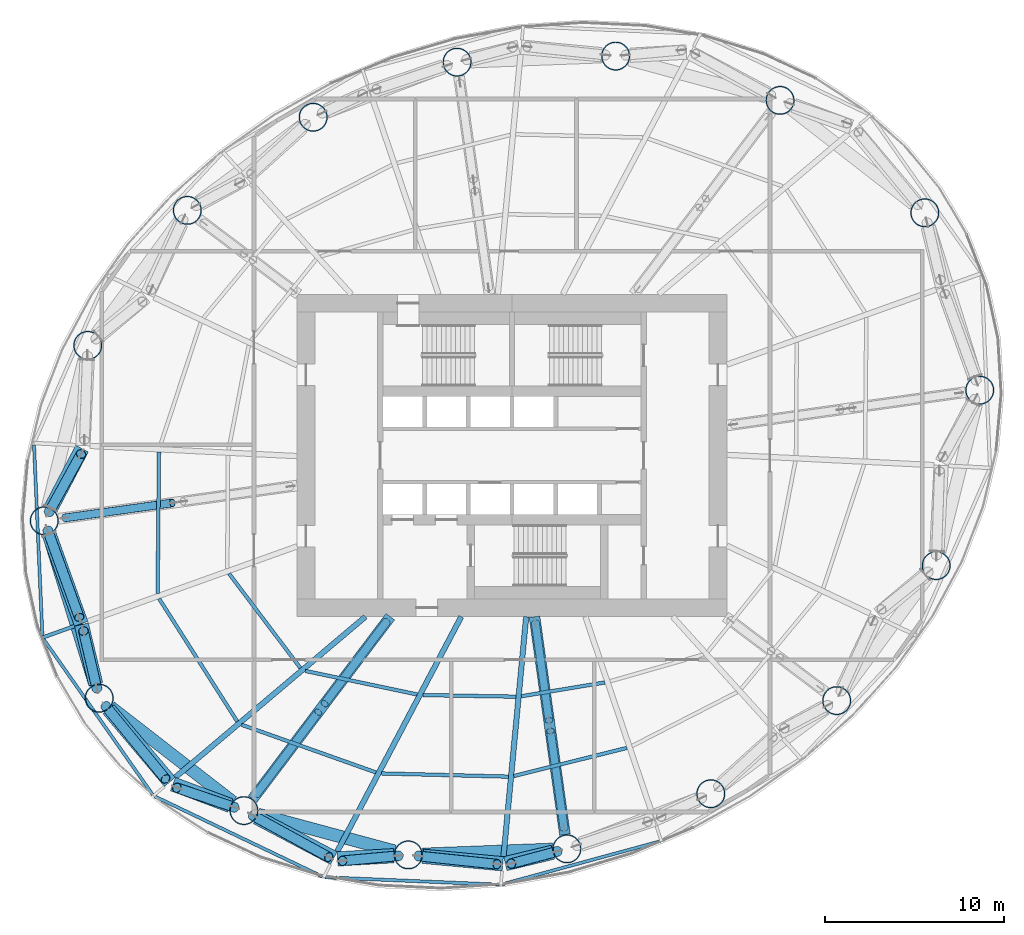
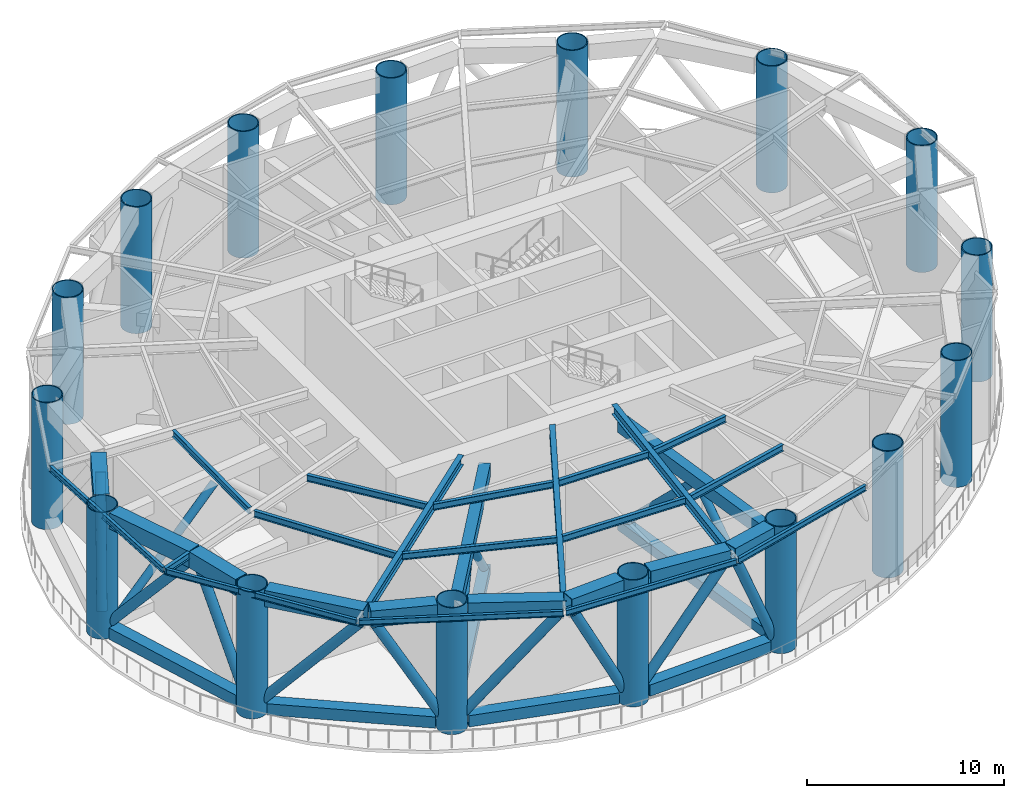
# One storey, part 1 of 15: 31 members, 18 beams, 16 columns.
"""IFC4 building model written with IfcOpenShell, lengths in metres."""

from ifc_helpers import new_model, si_unit, direction, frame, origin, origin_2d, place, context, subcontext, project, spatial, hollow_rectangle, hollow_circle, i_section, extrude, material, material_profile, profile_set, type_object, element, save


model = new_model("IFC4")

# Units and contexts
model_context = context("Model", 3, precision=1e-05, world=origin(), true_north=direction((0.0, 1.0)))
body_context = subcontext(model_context, "Body", "Model", "MODEL_VIEW")
ifc_project = project(units=[si_unit("LENGTHUNIT", "METRE"), si_unit("AREAUNIT", "SQUARE_METRE"), si_unit("VOLUMEUNIT", "CUBIC_METRE"), si_unit("PLANEANGLEUNIT", "RADIAN"), si_unit("MASSUNIT", "GRAM", prefix="KILO")], contexts=[model_context])

# Site, building, storey
site_placement = place(None, origin())
site = spatial("IfcSite", under=ifc_project, at=site_placement, CompositionType="ELEMENT")
building_placement = place(site_placement, origin())
building = spatial("IfcBuilding", under=site, at=building_placement, Name="Vermilion Reach Broadcast Tower", CompositionType="ELEMENT")
storey_placement = place(building_placement, frame((0.0, 0.0, 135.39990234375)))
storey = spatial("IfcBuildingStorey", under=building, at=storey_placement, Name="L32", CompositionType="ELEMENT", Elevation=135.39990234375)

# Columns
ifc_material_1 = material(Name="Concrete C80 infill in steel S460NL tube", Category="concrete")
ifc_material_profile_1 = material_profile(ifc_material_1, hollow_circle(Radius=0.800048828125, WallThickness=0.054931640625, at=origin_2d()), Name="Concrete C80 infill in steel S460NL tube CFT 1600x55")
ifc_profile_set_1 = profile_set([ifc_material_profile_1], Name="Concrete C80 infill in steel S460NL tube")
column_type = type_object("IfcColumnType", Name="MC2 CFT 1600x55", PredefinedType="COLUMN", material=ifc_profile_set_1)
for number, where, z_axis, x_axis, name in (
    (1, (17.04345703125, 13.546630859375, 0.0), (0.0, 0.0, 1.0), (1.0, 0.0, 0.0), "Mega-column MC2-01"),
    (2, (8.96337890625, 19.821044921875, 0.0), (0.0, 0.0, 1.0), (1.0, 0.0, 0.0), "Mega-column MC2-02"),
    (3, (-0.21337890625, 22.29443359375, 0.0), (0.0, 0.0, 1.0), (1.0, 0.0, 0.0), "Mega-column MC2-03"),
    (4, (-9.066162109375, 21.955810546875, 0.0), (0.0, 0.0, 1.0), (1.0, 0.0, 0.0), "Mega-column MC2-04"),
    (5, (-17.099609375, 18.881103515625, 0.0), (0.0, 0.0, 1.0), (1.0, 0.0, 0.0), "Mega-column MC2-05"),
    (6, (-24.12451171875, 13.6826171875, 0.0), (0.0, 0.0, 1.0), (1.0, 0.0, 0.0), "Mega-column MC2-06"),
    (7, (-29.6787109375, 6.145751953125, 0.0), (0.0, 0.0, 1.0), (1.0, 0.0, 0.0), "Mega-column MC2-07"),
    (8, (-32.10888671875, -3.646240234375, 0.0), (0.0, 0.0, 1.0), (1.0, 0.0, 0.0), "Mega-column MC2-08"),
    (9, (-29.04345703125, -13.546630859375, 0.0), (0.0, 0.0, 1.0), (1.0, 0.0, 0.0), "Mega-column MC2-09"),
    (10, (-20.96337890625, -19.821044921875, 0.0), (0.0, 0.0, 1.0), (1.0, 0.0, 0.0), "Mega-column MC2-10"),
    (11, (-11.78662109375, -22.29443359375, 0.0), (0.0, 0.0, 1.0), (1.0, 0.0, 0.0), "Mega-column MC2-11"),
    (12, (-2.933837890625, -21.955810546875, 0.0), (0.0, 0.0, 1.0), (1.0, 0.0, 0.0), "Mega-column MC2-12"),
    (13, (5.099609375, -18.881103515625, 0.0), (0.0, 0.0, 1.0), (1.0, 0.0, 0.0), "Mega-column MC2-13"),
    (14, (12.12451171875, -13.6826171875, 0.0), (0.0, 0.0, 1.0), (1.0, 0.0, 0.0), "Mega-column MC2-14"),
    (15, (17.6787109375, -6.145751953125, 0.0), (0.0, 0.0, 1.0), (1.0, 0.0, 0.0), "Mega-column MC2-15"),
    (16, (20.10888671875, 3.646240234375, 0.0), (0.0, 0.0, 1.0), (1.0, 0.0, 0.0), "Mega-column MC2-16"),
):
    element("IfcColumn", number, at=place(storey_placement, frame(where, z_axis=z_axis, x_axis=x_axis)), inside=storey, type_object=column_type, Name=name, PredefinedType="COLUMN", context=body_context, shape_type="SweptSolid", body=[
        extrude(hollow_circle(Radius=0.800048828125, WallThickness=0.054931640625, at=origin_2d()), origin(), (0.0, 0.0, 1.0), 7.85009765625),
    ])

# Members
ifc_material_2 = material(Name="Steel S460NL", Category="steel")
ifc_material_profile_2 = material_profile(ifc_material_2, hollow_rectangle(XDim=0.699951171875, YDim=0.699951171875, WallThickness=0.034912109375, at=origin_2d()), Name="S460NL BOX 700x700x35")
ifc_profile_set_2 = profile_set([ifc_material_profile_2], Name="Steel S460NL")
member_type_1 = type_object("IfcMemberType", Name="BT2-BC BOX 700x700x35", PredefinedType="CHORD", material=ifc_profile_set_2)
member_1_placement = place(storey_placement, frame((-31.872314453125, -4.410400390625, 0.35009765625), z_axis=(0.295788439635, -0.95525347368, 0.0), x_axis=(0.95525347368, 0.295788439635, 0.0)))
element("IfcMember", 17, at=member_1_placement, inside=storey, type_object=member_type_1, Name="Belt truss bottom chord BT2-BC08", PredefinedType="CHORD", context=body_context, shape_type="SweptSolid", body=[
    extrude(hollow_rectangle(XDim=0.699951171875, YDim=0.699951171875, WallThickness=0.034912109375, at=origin_2d()), origin(), (0.0, 0.0, 1.0), 8.763916015625),
])
member_2_placement = place(storey_placement, frame((-28.41162109375, -14.037109375, 0.35009765625), z_axis=(0.789825712432, -0.613331349257, 0.0), x_axis=(0.613331349257, 0.789825712432, 0.0)))
element("IfcMember", 18, at=member_2_placement, inside=storey, type_object=member_type_1, Name="Belt truss bottom chord BT2-BC09", PredefinedType="CHORD", context=body_context, shape_type="SweptSolid", body=[
    extrude(hollow_rectangle(XDim=0.699951171875, YDim=0.699951171875, WallThickness=0.034912109375, at=origin_2d()), origin(), (0.0, 0.0, 1.0), 8.63037109375),
])
member_3_placement = place(storey_placement, frame((-20.19091796875, -20.029296875, 0.35009765625), z_axis=(0.965541463834, -0.260249268234, 0.0), x_axis=(0.260249268234, 0.965541463834, 0.0)))
element("IfcMember", 19, at=member_3_placement, inside=storey, type_object=member_type_1, Name="Belt truss bottom chord BT2-BC10", PredefinedType="CHORD", context=body_context, shape_type="SweptSolid", body=[
    extrude(hollow_rectangle(XDim=0.699951171875, YDim=0.699951171875, WallThickness=0.034912109375, at=origin_2d()), origin(), (0.0, 0.0, 1.0), 7.904541015625),
])
member_4_placement = place(storey_placement, frame((-10.987060546875, -22.263916015625, 0.35009765625), z_axis=(0.999268558327, 0.038240663418, 0.0), x_axis=(-0.038240663418, 0.999268558327, 0.0)))
element("IfcMember", 20, at=member_4_placement, inside=storey, type_object=member_type_1, Name="Belt truss bottom chord BT2-BC11", PredefinedType="CHORD", context=body_context, shape_type="SweptSolid", body=[
    extrude(hollow_rectangle(XDim=0.699951171875, YDim=0.699951171875, WallThickness=0.034912109375, at=origin_2d()), origin(), (0.0, 0.0, 1.0), 7.259033203125),
])
ifc_material_3 = material(Name="Steel S355J2H", Category="steel")
ifc_material_profile_3 = material_profile(ifc_material_3, hollow_circle(Radius=0.279541015625, WallThickness=0.02490234375, at=origin_2d()), Name="S355J2H CHS 559x25")
ifc_profile_set_3 = profile_set([ifc_material_profile_3], Name="Steel S355J2H")
member_type_2 = type_object("IfcMemberType", Name="BT2-D CHS 559x25", PredefinedType="BRACE", material=ifc_profile_set_3)
member_5_placement = place(storey_placement, frame((-31.84326171875, -3.16455078125, 0.800048828125), z_axis=(0.252322720292, 0.457462022461, 0.852679155856), x_axis=(-0.875634448009, 0.482974443899, 0.0)))
element("IfcMember", 21, at=member_5_placement, inside=storey, type_object=member_type_2, Name="Belt truss diagonal BT2-D07B", PredefinedType="BRACE", context=body_context, shape_type="SweptSolid", body=[
    extrude(hollow_circle(Radius=0.279541015625, WallThickness=0.02490234375, at=origin_2d()), origin(), (0.0, 0.0, 1.0), 7.08349609375),
])
member_6_placement = place(storey_placement, frame((-31.921630859375, -4.163330078125, 0.800048828125), z_axis=(0.221551776768, -0.612159126171, 0.759062589288), x_axis=(0.940311100028, 0.34031608126, 0.0)))
element("IfcMember", 22, at=member_6_placement, inside=storey, type_object=member_type_2, Name="Belt truss diagonal BT2-D08A", PredefinedType="BRACE", context=body_context, shape_type="SweptSolid", body=[
    extrude(hollow_circle(Radius=0.279541015625, WallThickness=0.02490234375, at=origin_2d()), origin(), (0.0, 0.0, 1.0), 7.957275390625),
])
member_7_placement = place(storey_placement, frame((-29.1689453125, -13.010986328125, 0.800048828125), z_axis=(-0.10943309979, 0.466749020107, 0.877593156821), x_axis=(-0.973598327327, -0.228268037681, 0.0)))
element("IfcMember", 23, at=member_7_placement, inside=storey, type_object=member_type_2, Name="Belt truss diagonal BT2-D08B", PredefinedType="BRACE", context=body_context, shape_type="SweptSolid", body=[
    extrude(hollow_circle(Radius=0.279541015625, WallThickness=0.02490234375, at=origin_2d()), origin(), (0.0, 0.0, 1.0), 6.882568359375),
])
member_8_placement = place(storey_placement, frame((-28.694580078125, -13.9716796875, 0.800048828125), z_axis=(0.41774205615, -0.509059441467, 0.752562329363), x_axis=(0.773034454647, 0.634364037386, 0.0)))
element("IfcMember", 24, at=member_8_placement, inside=storey, type_object=member_type_2, Name="Belt truss diagonal BT2-D09A", PredefinedType="BRACE", context=body_context, shape_type="SweptSolid", body=[
    extrude(hollow_circle(Radius=0.279541015625, WallThickness=0.02490234375, at=origin_2d()), origin(), (0.0, 0.0, 1.0), 8.02587890625),
])
member_9_placement = place(storey_placement, frame((-21.484130859375, -19.64404296875, 0.800048828125), z_axis=(-0.465176672429, 0.158039664159, 0.870996055089), x_axis=(-0.321683041719, -0.946847411503, 0.0)))
element("IfcMember", 25, at=member_9_placement, inside=storey, type_object=member_type_2, Name="Belt truss diagonal BT2-D09B", PredefinedType="BRACE", context=body_context, shape_type="SweptSolid", body=[
    extrude(hollow_circle(Radius=0.279541015625, WallThickness=0.02490234375, at=origin_2d()), origin(), (0.0, 0.0, 1.0), 6.9345703125),
])
member_10_placement = place(storey_placement, frame((-20.4814453125, -20.0859375, 0.800048828125), z_axis=(0.5487089713, -0.301336038926, 0.779817322493), x_axis=(0.481361981443, 0.876521900937, 0.0)))
element("IfcMember", 26, at=member_10_placement, inside=storey, type_object=member_type_2, Name="Belt truss diagonal BT2-D10A", PredefinedType="BRACE", context=body_context, shape_type="SweptSolid", body=[
    extrude(hollow_circle(Radius=0.279541015625, WallThickness=0.02490234375, at=origin_2d()), origin(), (0.0, 0.0, 1.0), 7.745361328125),
])
member_11_placement = place(storey_placement, frame((-12.334228515625, -22.34423828125, 0.800048828125), z_axis=(-0.459092274445, -0.041716096193, 0.8874086155), x_axis=(0.090493651738, -0.995897032326, 0.0)))
element("IfcMember", 27, at=member_11_placement, inside=storey, type_object=member_type_2, Name="Belt truss diagonal BT2-D10B", PredefinedType="BRACE", context=body_context, shape_type="SweptSolid", body=[
    extrude(hollow_circle(Radius=0.279541015625, WallThickness=0.02490234375, at=origin_2d()), origin(), (0.0, 0.0, 1.0), 6.806396484375),
])
member_12_placement = place(storey_placement, frame((-11.239501953125, -22.35205078125, 0.800048828125), z_axis=(0.587498646373, -0.061867710235, 0.806856695418), x_axis=(0.104727891343, 0.994500914416, 0.0)))
element("IfcMember", 28, at=member_12_placement, inside=storey, type_object=member_type_2, Name="Belt truss diagonal BT2-D11A", PredefinedType="BRACE", context=body_context, shape_type="SweptSolid", body=[
    extrude(hollow_circle(Radius=0.279541015625, WallThickness=0.02490234375, at=origin_2d()), origin(), (0.0, 0.0, 1.0), 7.48583984375),
])
member_13_placement = place(storey_placement, frame((-3.46533203125, -22.097412109375, 0.800048828125), z_axis=(-0.390252706397, -0.104089574428, 0.914804998699), x_axis=(0.257713933528, -0.966221262685, 0.0)))
element("IfcMember", 29, at=member_13_placement, inside=storey, type_object=member_type_2, Name="Belt truss diagonal BT2-D11B", PredefinedType="BRACE", context=body_context, shape_type="SweptSolid", body=[
    extrude(hollow_circle(Radius=0.279541015625, WallThickness=0.02490234375, at=origin_2d()), origin(), (0.0, 0.0, 1.0), 6.6025390625),
])
ifc_material_4 = material(Name="Steel S460NL", Category="steel")
ifc_material_profile_4 = material_profile(ifc_material_4, hollow_rectangle(XDim=0.800048828125, YDim=1.0, WallThickness=0.0400390625, at=origin_2d()), Name="S460NL BOX 800x1000x40")
ifc_profile_set_4 = profile_set([ifc_material_profile_4], Name="Steel S460NL")
member_type_3 = type_object("IfcMemberType", Name="BT2-TC BOX 800x1000x40", PredefinedType="CHORD", material=ifc_profile_set_4)
member_14_placement = place(storey_placement, frame((-30.00244140625, 0.3818359375, 7.35009765625), z_axis=(-0.463401202932, -0.886148590882, 0.0), x_axis=(0.886148590882, -0.463401202932, 0.0)))
element("IfcMember", 30, at=member_14_placement, inside=storey, type_object=member_type_3, Name="Belt truss top chord BT2-TC14", PredefinedType="CHORD", context=body_context, shape_type="SweptSolid", body=[
    extrude(hollow_rectangle(XDim=0.800048828125, YDim=1.0, WallThickness=0.0400390625, at=origin_2d()), origin(), (0.0, 0.0, 1.0), 3.7353515625),
])
member_15_placement = place(storey_placement, frame((-31.83544921875, -4.40869140625, 7.35009765625), z_axis=(0.337428908349, -0.941351014134, 0.0), x_axis=(0.941351014134, 0.337428908349, 0.0)))
element("IfcMember", 31, at=member_15_placement, inside=storey, type_object=member_type_3, Name="Belt truss top chord BT2-TC15", PredefinedType="CHORD", context=body_context, shape_type="SweptSolid", body=[
    extrude(hollow_rectangle(XDim=0.800048828125, YDim=1.0, WallThickness=0.0400390625, at=origin_2d()), origin(), (0.0, 0.0, 1.0), 5.29345703125),
])
member_16_placement = place(storey_placement, frame((-30.0341796875, -9.442138671875, 7.35009765625), z_axis=(0.234666176524, -0.972076018424, 0.0), x_axis=(0.972076018424, 0.234666176524, 0.0)))
element("IfcMember", 32, at=member_16_placement, inside=storey, type_object=member_type_3, Name="Belt truss top chord BT2-TC16", PredefinedType="CHORD", context=body_context, shape_type="SweptSolid", body=[
    extrude(hollow_rectangle(XDim=0.800048828125, YDim=1.0, WallThickness=0.0400390625, at=origin_2d()), origin(), (0.0, 0.0, 1.0), 3.412353515625),
])
member_17_placement = place(storey_placement, frame((-28.520751953125, -14.165283203125, 7.35009765625), z_axis=(0.645284064865, -0.763942717506, 0.0), x_axis=(0.763942717506, 0.645284064865, 0.0)))
element("IfcMember", 33, at=member_17_placement, inside=storey, type_object=member_type_3, Name="Belt truss top chord BT2-TC17", PredefinedType="CHORD", context=body_context, shape_type="SweptSolid", body=[
    extrude(hollow_rectangle(XDim=0.800048828125, YDim=1.0, WallThickness=0.0400390625, at=origin_2d()), origin(), (0.0, 0.0, 1.0), 5.306396484375),
])
member_18_placement = place(storey_placement, frame((-24.923095703125, -18.341064453125, 7.35009765625), z_axis=(0.936695670356, -0.350144571765, 0.0), x_axis=(0.350144571765, 0.936695670356, 0.0)))
element("IfcMember", 34, at=member_18_placement, inside=storey, type_object=member_type_3, Name="Belt truss top chord BT2-TC18", PredefinedType="CHORD", context=body_context, shape_type="SweptSolid", body=[
    extrude(hollow_rectangle(XDim=0.800048828125, YDim=1.0, WallThickness=0.0400390625, at=origin_2d()), origin(), (0.0, 0.0, 1.0), 3.417236328125),
])
member_19_placement = place(storey_placement, frame((-20.2470703125, -20.199462890625, 7.35009765625), z_axis=(0.884273595464, -0.466969172822, 0.0), x_axis=(0.466969172822, 0.884273595464, 0.0)))
element("IfcMember", 35, at=member_19_placement, inside=storey, type_object=member_type_3, Name="Belt truss top chord BT2-TC19", PredefinedType="CHORD", context=body_context, shape_type="SweptSolid", body=[
    extrude(hollow_rectangle(XDim=0.800048828125, YDim=1.0, WallThickness=0.0400390625, at=origin_2d()), origin(), (0.0, 0.0, 1.0), 4.86181640625),
])
member_20_placement = place(storey_placement, frame((-15.729248046875, -22.517578125, 7.35009765625), z_axis=(0.998404576922, 0.05646504034, 0.0), x_axis=(-0.05646504034, 0.998404576922, 0.0)))
element("IfcMember", 36, at=member_20_placement, inside=storey, type_object=member_type_3, Name="Belt truss top chord BT2-TC20", PredefinedType="CHORD", context=body_context, shape_type="SweptSolid", body=[
    extrude(hollow_rectangle(XDim=0.800048828125, YDim=1.0, WallThickness=0.0400390625, at=origin_2d()), origin(), (0.0, 0.0, 1.0), 3.13916015625),
])
member_21_placement = place(storey_placement, frame((-10.980224609375, -22.370849609375, 7.35009765625), z_axis=(0.995559801477, -0.094131193997, 0.0), x_axis=(0.094131193997, 0.995559801477, 0.0)))
element("IfcMember", 37, at=member_21_placement, inside=storey, type_object=member_type_3, Name="Belt truss top chord BT2-TC21", PredefinedType="CHORD", context=body_context, shape_type="SweptSolid", body=[
    extrude(hollow_rectangle(XDim=0.800048828125, YDim=1.0, WallThickness=0.0400390625, at=origin_2d()), origin(), (0.0, 0.0, 1.0), 4.487060546875),
])
member_22_placement = place(storey_placement, frame((-6.3720703125, -22.783203125, 7.35009765625), z_axis=(0.972238352114, 0.233992706464, 0.0), x_axis=(-0.233992706464, 0.972238352114, 0.0)))
element("IfcMember", 38, at=member_22_placement, inside=storey, type_object=member_type_3, Name="Belt truss top chord BT2-TC22", PredefinedType="CHORD", context=body_context, shape_type="SweptSolid", body=[
    extrude(hollow_rectangle(XDim=0.800048828125, YDim=1.0, WallThickness=0.0400390625, at=origin_2d()), origin(), (0.0, 0.0, 1.0), 2.726318359375),
])

# Beams
ifc_material_5 = material(Name="Steel S355J2", Category="steel")
ifc_material_profile_5 = material_profile(ifc_material_5, i_section(OverallWidth=0.175048828125, OverallDepth=0.35009765625, WebThickness=0.007080078125, FlangeThickness=0.010986328125, at=origin_2d()), Name="S355J2 HN 350x175x7x11")
ifc_profile_set_5 = profile_set([ifc_material_profile_5], Name="Steel S355J2")
beam_type_1 = type_object("IfcBeamType", Name="EB3 HN 350x175x7x11", PredefinedType="BEAM", material=ifc_profile_set_5)
beam_1_placement = place(storey_placement, frame((-32.68017578125, 0.591552734375, 7.675048828125), z_axis=(0.043778033411, -0.999041282326, 0.0), x_axis=(0.999041282326, 0.043778033411, 0.0)))
element("IfcBeam", 39, at=beam_1_placement, inside=storey, type_object=beam_type_1, Name="Edge beam EB3-07", PredefinedType="BEAM", context=body_context, shape_type="SweptSolid", body=[
    extrude(i_section(OverallWidth=0.175048828125, OverallDepth=0.35009765625, WebThickness=0.007080078125, FlangeThickness=0.010986328125, at=origin_2d()), origin(), (0.0, 0.0, 1.0), 10.662841796875),
])
beam_2_placement = place(storey_placement, frame((-32.1494140625, -10.25048828125, 7.675048828125), z_axis=(0.574341052749, -0.818616121956, 0.0), x_axis=(0.818616121956, 0.574341052749, 0.0)))
element("IfcBeam", 40, at=beam_2_placement, inside=storey, type_object=beam_type_1, Name="Edge beam EB3-08", PredefinedType="BEAM", context=body_context, shape_type="SweptSolid", body=[
    extrude(i_section(OverallWidth=0.175048828125, OverallDepth=0.35009765625, WebThickness=0.007080078125, FlangeThickness=0.010986328125, at=origin_2d()), origin(), (0.0, 0.0, 1.0), 10.606201171875),
])
beam_3_placement = place(storey_placement, frame((-25.9404296875, -19.030029296875, 7.675048828125), z_axis=(0.901952956163, -0.431834302562, 0.0), x_axis=(0.431834302562, 0.901952956163, 0.0)))
element("IfcBeam", 41, at=beam_3_placement, inside=storey, type_object=beam_type_1, Name="Edge beam EB3-09", PredefinedType="BEAM", context=body_context, shape_type="SweptSolid", body=[
    extrude(i_section(OverallWidth=0.175048828125, OverallDepth=0.35009765625, WebThickness=0.007080078125, FlangeThickness=0.010986328125, at=origin_2d()), origin(), (0.0, 0.0, 1.0), 10.37548828125),
])
beam_4_placement = place(storey_placement, frame((-16.431640625, -23.54638671875, 7.675048828125), z_axis=(0.999118549343, -0.04197766499, 0.0), x_axis=(0.04197766499, 0.999118549343, 0.0)))
element("IfcBeam", 42, at=beam_4_placement, inside=storey, type_object=beam_type_1, Name="Edge beam EB3-10", PredefinedType="BEAM", context=body_context, shape_type="SweptSolid", body=[
    extrude(i_section(OverallWidth=0.175048828125, OverallDepth=0.35009765625, WebThickness=0.007080078125, FlangeThickness=0.010986328125, at=origin_2d()), origin(), (0.0, 0.0, 1.0), 9.74169921875),
])
beam_5_placement = place(storey_placement, frame((-6.5458984375, -23.937255859375, 7.675048828125), z_axis=(0.96489140784, 0.262649140634, 0.0), x_axis=(-0.262649140634, 0.96489140784, 0.0)))
element("IfcBeam", 43, at=beam_5_placement, inside=storey, type_object=beam_type_1, Name="Edge beam EB3-11", PredefinedType="BEAM", context=body_context, shape_type="SweptSolid", body=[
    extrude(i_section(OverallWidth=0.175048828125, OverallDepth=0.35009765625, WebThickness=0.007080078125, FlangeThickness=0.010986328125, at=origin_2d()), origin(), (0.0, 0.0, 1.0), 9.132568359375),
])
ifc_material_6 = material(Name="Steel S355J2", Category="steel")
ifc_material_profile_6 = material_profile(ifc_material_6, i_section(OverallWidth=0.300048828125, OverallDepth=0.587890625, WebThickness=0.011962890625, FlangeThickness=0.02001953125, at=origin_2d()), Name="S355J2 HM 588x300x12x20")
ifc_profile_set_6 = profile_set([ifc_material_profile_6], Name="Steel S355J2")
beam_type_2 = type_object("IfcBeamType", Name="G3 HM 588x300x12x20", PredefinedType="BEAM", material=ifc_profile_set_6)
beam_6_placement = place(storey_placement, frame((-14.182861328125, -9.0, 7.55615234375), z_axis=(-0.763934189826, -0.64529416053, 0.0), x_axis=(0.64529416053, -0.763934189826, 0.0)))
element("IfcBeam", 44, at=beam_6_placement, inside=storey, type_object=beam_type_2, Name="Girder G3-09", PredefinedType="BEAM", context=body_context, shape_type="SweptSolid", body=[
    extrude(i_section(OverallWidth=0.300048828125, OverallDepth=0.587890625, WebThickness=0.011962890625, FlangeThickness=0.02001953125, at=origin_2d()), origin(), (0.0, 0.0, 1.0), 13.88623046875),
])
beam_7_placement = place(storey_placement, frame((-8.83447265625, -9.0, 7.55615234375), z_axis=(-0.466986035852, -0.884264690191, 0.0), x_axis=(0.884264690191, -0.466986035852, 0.0)))
element("IfcBeam", 45, at=beam_7_placement, inside=storey, type_object=beam_type_2, Name="Girder G3-10", PredefinedType="BEAM", context=body_context, shape_type="SweptSolid", body=[
    extrude(i_section(OverallWidth=0.300048828125, OverallDepth=0.587890625, WebThickness=0.011962890625, FlangeThickness=0.02001953125, at=origin_2d()), origin(), (0.0, 0.0, 1.0), 14.8330078125),
])
beam_8_placement = place(storey_placement, frame((-5.208740234375, -9.0, 7.55615234375), z_axis=(-0.094155720753, -0.995557482142, 0.0), x_axis=(0.995557482142, -0.094155720753, 0.0)))
element("IfcBeam", 46, at=beam_8_placement, inside=storey, type_object=beam_type_2, Name="Girder G3-11", PredefinedType="BEAM", context=body_context, shape_type="SweptSolid", body=[
    extrude(i_section(OverallWidth=0.300048828125, OverallDepth=0.587890625, WebThickness=0.011962890625, FlangeThickness=0.02001953125, at=origin_2d()), origin(), (0.0, 0.0, 1.0), 13.454833984375),
])
ifc_material_7 = material(Name="Steel S355J2", Category="steel")
ifc_material_profile_7 = material_profile(ifc_material_7, i_section(OverallWidth=0.199951171875, OverallDepth=0.39990234375, WebThickness=0.008056640625, FlangeThickness=0.012939453125, at=origin_2d()), Name="S355J2 HN 400x200x8x13")
ifc_profile_set_7 = profile_set([ifc_material_profile_7], Name="Steel S355J2")
beam_type_3 = type_object("IfcBeamType", Name="GC3 HN 400x200x8x13", PredefinedType="BEAM", material=ifc_profile_set_7)
beam_9_placement = place(storey_placement, frame((-30.426025390625, -9.526611328125, 7.650146484375), z_axis=(-0.941382662471, -0.337340603545, 0.0), x_axis=(0.337340603545, -0.941382662471, 0.0)))
element("IfcBeam", 47, at=beam_9_placement, inside=storey, type_object=beam_type_3, Name="Cantilever girder GC3-08", PredefinedType="BEAM", context=body_context, shape_type="SweptSolid", body=[
    extrude(i_section(OverallWidth=0.199951171875, OverallDepth=0.39990234375, WebThickness=0.008056640625, FlangeThickness=0.012939453125, at=origin_2d()), origin(), (0.0, 0.0, 1.0), 1.89404296875),
])

# Members
ifc_material_8 = material(Name="Steel S460NL", Category="steel")
ifc_material_profile_8 = material_profile(ifc_material_8, hollow_rectangle(XDim=0.60009765625, YDim=0.60009765625, WallThickness=0.030029296875, at=origin_2d()), Name="S460NL BOX 600x600x30")
ifc_profile_set_8 = profile_set([ifc_material_profile_8], Name="Steel S460NL")
member_type_4 = type_object("IfcMemberType", Name="OR2-BC BOX 600x600x30", PredefinedType="CHORD", material=ifc_profile_set_8)
member_23_placement = place(storey_placement, frame((-12.794189453125, -9.0, 0.300048828125), z_axis=(-0.602519842365, -0.798103902733, 0.0), x_axis=(0.798103902733, -0.602519842365, 0.0)))
element("IfcMember", 48, at=member_23_placement, inside=storey, type_object=member_type_4, Name="Outrigger bottom chord OR2-10", PredefinedType="CHORD", context=body_context, shape_type="SweptSolid", body=[
    extrude(hollow_rectangle(XDim=0.60009765625, YDim=0.60009765625, WallThickness=0.030029296875, at=origin_2d()), origin(), (0.0, 0.0, 1.0), 12.758544921875),
])
member_24_placement = place(storey_placement, frame((-4.7431640625, -9.0, 0.300048828125), z_axis=(0.138317561234, -0.990387930184, 0.0), x_axis=(0.990387930184, 0.138317561234, 0.0)))
element("IfcMember", 49, at=member_24_placement, inside=storey, type_object=member_type_4, Name="Outrigger bottom chord OR2-12", PredefinedType="CHORD", context=body_context, shape_type="SweptSolid", body=[
    extrude(hollow_rectangle(XDim=0.60009765625, YDim=0.60009765625, WallThickness=0.030029296875, at=origin_2d()), origin(), (0.0, 0.0, 1.0), 12.281494140625),
])
ifc_material_9 = material(Name="Steel S355J2H", Category="steel")
ifc_material_profile_9 = material_profile(ifc_material_9, hollow_circle(Radius=0.228515625, WallThickness=0.02001953125, at=origin_2d()), Name="S355J2H CHS 457x20")
ifc_profile_set_9 = profile_set([ifc_material_profile_9], Name="Steel S355J2H")
member_type_5 = type_object("IfcMemberType", Name="OR2-D CHS 457x20", PredefinedType="BRACE", material=ifc_profile_set_9)
member_25_placement = place(storey_placement, frame((-30.969970703125, -3.487060546875, 0.60009765625), z_axis=(0.737101993663, 0.102923804928, 0.667897702734), x_axis=(-0.138291404653, 0.99039158286, 0.0)))
element("IfcMember", 50, at=member_25_placement, inside=storey, type_object=member_type_5, Name="Outrigger diagonal OR2-08-DB", PredefinedType="BRACE", context=body_context, shape_type="SweptSolid", body=[
    extrude(hollow_circle(Radius=0.228515625, WallThickness=0.02001953125, at=origin_2d()), origin(), (0.0, 0.0, 1.0), 8.159912109375),
])
for number, where, z_axis, x_axis, name in (
    (51, (-13.005126953125, -9.279296875, 0.60009765625), (-0.436546298871, -0.578264066168, 0.689230004222), (0.798109116035, -0.602512936709, 0.0), "Outrigger diagonal OR2-10-DA"),
    (52, (-20.2705078125, -18.9033203125, 0.60009765625), (0.436546298871, 0.578264066168, 0.689230004222), (-0.798109116035, 0.602512936709, 0.0), "Outrigger diagonal OR2-10-DB"),
):
    element("IfcMember", number, at=place(storey_placement, frame(where, z_axis=z_axis, x_axis=x_axis)), inside=storey, type_object=member_type_5, Name=name, PredefinedType="BRACE", context=body_context, shape_type="SweptSolid", body=[
        extrude(hollow_circle(Radius=0.228515625, WallThickness=0.02001953125, at=origin_2d()), origin(), (0.0, 0.0, 1.0), 7.9072265625),
    ])
member_26_placement = place(storey_placement, frame((-4.69482421875, -9.3466796875, 0.60009765625), z_axis=(0.098176142536, -0.70291719667, 0.704463526141), x_axis=(0.990386629439, 0.138326874571, 0.0)))
element("IfcMember", 53, at=member_26_placement, inside=storey, type_object=member_type_5, Name="Outrigger diagonal OR2-12-DA", PredefinedType="BRACE", context=body_context, shape_type="SweptSolid", body=[
    extrude(hollow_circle(Radius=0.228515625, WallThickness=0.02001953125, at=origin_2d()), origin(), (0.0, 0.0, 1.0), 7.736328125),
])
member_27_placement = place(storey_placement, frame((-3.093017578125, -20.816650390625, 0.60009765625), z_axis=(-0.098147065951, 0.702903408339, 0.704481335445), x_axis=(-0.990391869617, -0.138289350986, 0.0)))
element("IfcMember", 54, at=member_27_placement, inside=storey, type_object=member_type_5, Name="Outrigger diagonal OR2-12-DB", PredefinedType="BRACE", context=body_context, shape_type="SweptSolid", body=[
    extrude(hollow_circle(Radius=0.228515625, WallThickness=0.02001953125, at=origin_2d()), origin(), (0.0, 0.0, 1.0), 7.736083984375),
])
ifc_material_10 = material(Name="Steel S460NL", Category="steel")
ifc_material_profile_10 = material_profile(ifc_material_10, hollow_rectangle(XDim=0.60009765625, YDim=0.800048828125, WallThickness=0.030029296875, at=origin_2d()), Name="S460NL BOX 600x800x30")
ifc_profile_set_10 = profile_set([ifc_material_profile_10], Name="Steel S460NL")
member_type_6 = type_object("IfcMemberType", Name="OR2-TC BOX 600x800x30", PredefinedType="CHORD", material=ifc_profile_set_10)
member_28_placement = place(storey_placement, frame((-12.794189453125, -9.0, 6.4501953125), z_axis=(-0.602519842365, -0.798103902733, 0.0), x_axis=(0.798103902733, -0.602519842365, 0.0)))
element("IfcMember", 55, at=member_28_placement, inside=storey, type_object=member_type_6, Name="Outrigger top chord OR2-10", PredefinedType="CHORD", context=body_context, shape_type="SweptSolid", body=[
    extrude(hollow_rectangle(XDim=0.60009765625, YDim=0.800048828125, WallThickness=0.030029296875, at=origin_2d()), origin(), (0.0, 0.0, 1.0), 12.758544921875),
])
member_29_placement = place(storey_placement, frame((-4.7431640625, -9.0, 6.4501953125), z_axis=(0.138317561234, -0.990387930184, 0.0), x_axis=(0.990387930184, 0.138317561234, 0.0)))
element("IfcMember", 56, at=member_29_placement, inside=storey, type_object=member_type_6, Name="Outrigger top chord OR2-12", PredefinedType="CHORD", context=body_context, shape_type="SweptSolid", body=[
    extrude(hollow_rectangle(XDim=0.60009765625, YDim=0.800048828125, WallThickness=0.030029296875, at=origin_2d()), origin(), (0.0, 0.0, 1.0), 12.281494140625),
])

# Beams
ifc_material_11 = material(Name="Steel S355J2", Category="steel")
ifc_material_profile_11 = material_profile(ifc_material_11, i_section(OverallWidth=0.199951171875, OverallDepth=0.39990234375, WebThickness=0.008056640625, FlangeThickness=0.012939453125, at=origin_2d()), Name="S355J2 HN 400x200x8x13")
ifc_profile_set_11 = profile_set([ifc_material_profile_11], Name="Steel S355J2")
beam_type_4 = type_object("IfcBeamType", Name="SB3 HN 400x200x8x13", PredefinedType="BEAM", material=ifc_profile_set_11)
beam_10_placement = place(storey_placement, frame((-25.705078125, 0.19677734375, 7.650146484375), z_axis=(-0.009519257118, -0.999954690846, 0.0), x_axis=(0.999954690846, -0.009519257118, 0.0)))
element("IfcBeam", 57, at=beam_10_placement, inside=storey, type_object=beam_type_4, Name="Secondary beam SB3-07-2", PredefinedType="BEAM", context=body_context, shape_type="SweptSolid", body=[
    extrude(i_section(OverallWidth=0.199951171875, OverallDepth=0.39990234375, WebThickness=0.008056640625, FlangeThickness=0.012939453125, at=origin_2d()), origin(), (0.0, 0.0, 1.0), 7.899169921875),
])
beam_11_placement = place(storey_placement, frame((-21.796142578125, -6.592529296875, 7.650146484375), z_axis=(0.602955838021, -0.797774565524, 0.0), x_axis=(0.797774565524, 0.602955838021, 0.0)))
element("IfcBeam", 58, at=beam_11_placement, inside=storey, type_object=beam_type_4, Name="Secondary beam SB3-08-1", PredefinedType="BEAM", context=body_context, shape_type="SweptSolid", body=[
    extrude(i_section(OverallWidth=0.199951171875, OverallDepth=0.39990234375, WebThickness=0.008056640625, FlangeThickness=0.012939453125, at=origin_2d()), origin(), (0.0, 0.0, 1.0), 6.61181640625),
])
beam_12_placement = place(storey_placement, frame((-25.69921875, -7.99169921875, 7.650146484375), z_axis=(0.53694937171, -0.843614468949, 0.0), x_axis=(0.843614468949, 0.53694937171, 0.0)))
element("IfcBeam", 59, at=beam_12_placement, inside=storey, type_object=beam_type_4, Name="Secondary beam SB3-08-2", PredefinedType="BEAM", context=body_context, shape_type="SweptSolid", body=[
    extrude(i_section(OverallWidth=0.199951171875, OverallDepth=0.39990234375, WebThickness=0.008056640625, FlangeThickness=0.012939453125, at=origin_2d()), origin(), (0.0, 0.0, 1.0), 8.125244140625),
])
beam_13_placement = place(storey_placement, frame((-17.532958984375, -12.026123046875, 7.650146484375), z_axis=(0.978529053694, -0.206108930126, 0.0), x_axis=(0.206108930126, 0.978529053694, 0.0)))
element("IfcBeam", 60, at=beam_13_placement, inside=storey, type_object=beam_type_4, Name="Secondary beam SB3-09-1", PredefinedType="BEAM", context=body_context, shape_type="SweptSolid", body=[
    extrude(i_section(OverallWidth=0.199951171875, OverallDepth=0.39990234375, WebThickness=0.008056640625, FlangeThickness=0.012939453125, at=origin_2d()), origin(), (0.0, 0.0, 1.0), 6.3740234375),
])
beam_14_placement = place(storey_placement, frame((-21.09130859375, -15.031982421875, 7.650146484375), z_axis=(0.942369382159, -0.334574278104, 0.0), x_axis=(0.334574278104, 0.942369382159, 0.0)))
element("IfcBeam", 61, at=beam_14_placement, inside=storey, type_object=beam_type_4, Name="Secondary beam SB3-09-2", PredefinedType="BEAM", context=body_context, shape_type="SweptSolid", body=[
    extrude(i_section(OverallWidth=0.199951171875, OverallDepth=0.39990234375, WebThickness=0.008056640625, FlangeThickness=0.012939453125, at=origin_2d()), origin(), (0.0, 0.0, 1.0), 7.95458984375),
])
beam_15_placement = place(storey_placement, frame((-10.97509765625, -13.374755859375, 7.650146484375), z_axis=(0.999857633218, -0.016873449458, 0.0), x_axis=(0.016873449458, 0.999857633218, 0.0)))
element("IfcBeam", 62, at=beam_15_placement, inside=storey, type_object=beam_type_4, Name="Secondary beam SB3-10-1", PredefinedType="BEAM", context=body_context, shape_type="SweptSolid", body=[
    extrude(i_section(OverallWidth=0.199951171875, OverallDepth=0.39990234375, WebThickness=0.008056640625, FlangeThickness=0.012939453125, at=origin_2d()), origin(), (0.0, 0.0, 1.0), 5.1943359375),
])
beam_16_placement = place(storey_placement, frame((-13.284912109375, -17.748291015625, 7.650146484375), z_axis=(0.999684300696, -0.025125662996, 0.0), x_axis=(0.025125662996, 0.999684300696, 0.0)))
element("IfcBeam", 63, at=beam_16_placement, inside=storey, type_object=beam_type_4, Name="Secondary beam SB3-10-2", PredefinedType="BEAM", context=body_context, shape_type="SweptSolid", body=[
    extrude(i_section(OverallWidth=0.199951171875, OverallDepth=0.39990234375, WebThickness=0.008056640625, FlangeThickness=0.012939453125, at=origin_2d()), origin(), (0.0, 0.0, 1.0), 7.08349609375),
])
beam_17_placement = place(storey_placement, frame((-5.47802734375, -13.439697265625, 7.650146484375), z_axis=(0.986562435071, 0.163384704629, 0.0), x_axis=(-0.163384704629, 0.986562435071, 0.0)))
element("IfcBeam", 64, at=beam_17_placement, inside=storey, type_object=beam_type_4, Name="Secondary beam SB3-11-1", PredefinedType="BEAM", context=body_context, shape_type="SweptSolid", body=[
    extrude(i_section(OverallWidth=0.199951171875, OverallDepth=0.39990234375, WebThickness=0.008056640625, FlangeThickness=0.012939453125, at=origin_2d()), origin(), (0.0, 0.0, 1.0), 4.723388671875),
])
beam_18_placement = place(storey_placement, frame((-5.89892578125, -17.8916015625, 7.650146484375), z_axis=(0.970533859335, 0.240964785569, 0.0), x_axis=(-0.240964785569, 0.970533859335, 0.0)))
element("IfcBeam", 65, at=beam_18_placement, inside=storey, type_object=beam_type_4, Name="Secondary beam SB3-11-2", PredefinedType="BEAM", context=body_context, shape_type="SweptSolid", body=[
    extrude(i_section(OverallWidth=0.199951171875, OverallDepth=0.39990234375, WebThickness=0.008056640625, FlangeThickness=0.012939453125, at=origin_2d()), origin(), (0.0, 0.0, 1.0), 6.5107421875),
])

save(model, "model.ifc")
